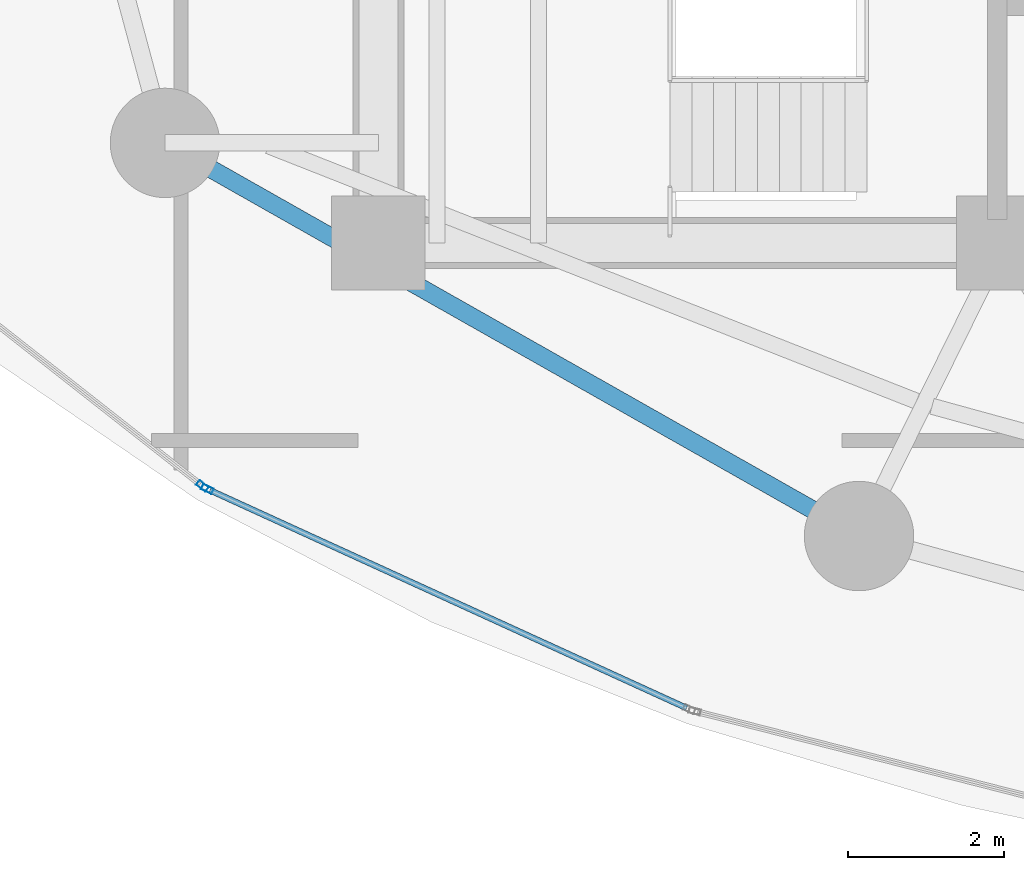
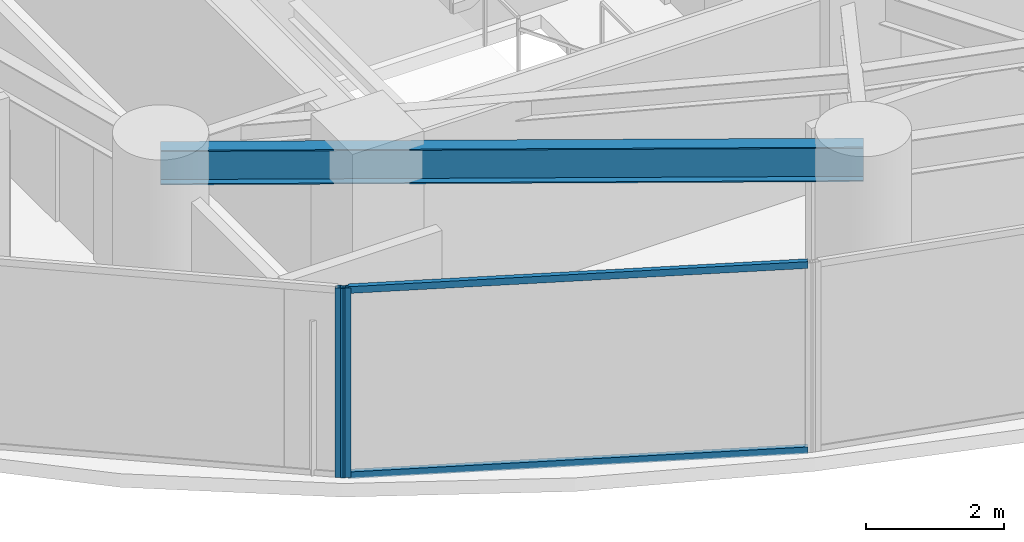
# One storey, part 2 of 31: 4 members, 1 beam, 2 elements without a shape of their own.
"""IFC4 building model written with IfcOpenShell, lengths in metres."""

from ifc_helpers import new_model, si_unit, direction, frame, origin, origin_2d, place, context, subcontext, project, spatial, hollow_rectangle, i_section, extrude, material, layer, layer_set, material_profile, profile_set, type_object, element, aggregate, save


model = new_model("IFC4")

# Units and contexts
model_context = context("Model", 3, precision=1e-05, world=origin(), true_north=direction((0.0, 1.0)))
body_context = subcontext(model_context, "Body", "Model", "MODEL_VIEW")
ifc_project = project(units=[si_unit("LENGTHUNIT", "METRE"), si_unit("AREAUNIT", "SQUARE_METRE"), si_unit("VOLUMEUNIT", "CUBIC_METRE"), si_unit("PLANEANGLEUNIT", "RADIAN"), si_unit("MASSUNIT", "GRAM", prefix="KILO")], contexts=[model_context])

# Site, building, storey
site_placement = place(None, origin())
site = spatial("IfcSite", under=ifc_project, at=site_placement, CompositionType="ELEMENT")
building_placement = place(site_placement, origin())
building = spatial("IfcBuilding", under=site, at=building_placement, Name="Kazevale Care Tower and Concert Hall", CompositionType="ELEMENT")
storey_placement = place(building_placement, frame((0.0, 0.0, 63.60009765625)))
storey = spatial("IfcBuildingStorey", under=building, at=storey_placement, Name="L16", CompositionType="ELEMENT", Elevation=63.60009765625)

# Curtain wall, member
ifc_material_1 = material(Name="Aluminium 6063-T6 and Low-E Glass", Category="aluminium")
ifc_layer = layer(ifc_material_1, 0.179931640625)
ifc_layer_set = layer_set([ifc_layer], Name="Aluminium 6063-T6 and Low-E Glass")
curtain_wall_type = type_object("IfcCurtainWallType", Name="Sheltered Concave Balcony Curtain Wall CW-5", PredefinedType="NOTDEFINED", material=ifc_layer_set)
curtain_wall_1_placement = place(storey_placement, origin())
curtain_wall_1 = element("IfcCurtainWall", 1, at=curtain_wall_1_placement, inside=storey, type_object=curtain_wall_type, Name="cw:L16:f09", PredefinedType="NOTDEFINED")
ifc_material_2 = material(Name="Aluminium 6063-T6", Category="aluminium")
ifc_material_profile_1 = material_profile(ifc_material_2, hollow_rectangle(XDim=0.074951171875, YDim=0.14990234375, WallThickness=0.00390625, at=origin_2d()), Name="ALU75x150x4")
ifc_profile_set_1 = profile_set([ifc_material_profile_1], Name="Aluminium 6063-T6")
member_type_1 = type_object("IfcMemberType", Name="CW-5 Mullion ALU75x150x4", PredefinedType="MULLION", material=ifc_profile_set_1)
member_1_placement = place(storey_placement, frame((19.81201171875, 20.451416015625, 0.0), z_axis=(0.0, 0.0, 1.0), x_axis=(-0.415659767773, -0.909520179795, 0.0)))
member_1 = element("IfcMember", 2, at=member_1_placement, type_object=member_type_1, Name="CW-5 mullion 2", PredefinedType="MULLION", context=body_context, shape_type="SweptSolid", body=[
    extrude(hollow_rectangle(XDim=0.074951171875, YDim=0.14990234375, WallThickness=0.00390625, at=origin_2d()), origin(), (0.0, 0.0, 1.0), 3.35986328125),
])

curtain_wall_2_placement = place(storey_placement, origin())
curtain_wall_2 = element("IfcCurtainWall", 3, at=curtain_wall_2_placement, inside=storey, type_object=curtain_wall_type, Name="cw:L16:f10", PredefinedType="NOTDEFINED")
member_2_placement = place(storey_placement, frame((19.74853515625, 20.490234375, 0.0), z_axis=(0.0, 0.0, 1.0), x_axis=(-0.617807548814, -0.78632934107, 0.0)))
member_2 = element("IfcMember", 4, at=member_2_placement, type_object=member_type_1, Name="CW-5 mullion 1", PredefinedType="MULLION", context=body_context, shape_type="SweptSolid", body=[
    extrude(hollow_rectangle(XDim=0.074951171875, YDim=0.14990234375, WallThickness=0.00390625, at=origin_2d()), origin(), (0.0, 0.0, 1.0), 3.35986328125),
])
aggregate(curtain_wall_2, [member_2])

# Member
ifc_material_profile_2 = material_profile(ifc_material_2, hollow_rectangle(XDim=0.074951171875, YDim=0.1201171875, WallThickness=0.00390625, at=origin_2d()), Name="ALU75x120x4")
ifc_profile_set_2 = profile_set([ifc_material_profile_2], Name="Aluminium 6063-T6")
member_type_2 = type_object("IfcMemberType", Name="CW-5 Transom ALU75x120x4", PredefinedType="USERDEFINED", material=ifc_profile_set_2)
member_3_placement = place(storey_placement, frame((25.94384765625, 17.649169921875, 0.037353515625), z_axis=(-0.909524040017, 0.415651320978, 0.0), x_axis=(-0.415651320978, -0.909524040017, 0.0)))
member_3 = element("IfcMember", 5, at=member_3_placement, type_object=member_type_2, Name="CW-5 transom 1.1", ObjectType="TRANSOM", PredefinedType="USERDEFINED", context=body_context, shape_type="SweptSolid", body=[
    extrude(hollow_rectangle(XDim=0.074951171875, YDim=0.1201171875, WallThickness=0.00390625, at=origin_2d()), origin(), (0.0, 0.0, 1.0), 6.704345703125),
])

member_4_placement = place(storey_placement, frame((25.94384765625, 17.649169921875, 3.322509765625), z_axis=(-0.909524040017, 0.415651320978, 0.0), x_axis=(-0.415651320978, -0.909524040017, 0.0)))
member_4 = element("IfcMember", 6, at=member_4_placement, type_object=member_type_2, Name="CW-5 transom 1.2", ObjectType="TRANSOM", PredefinedType="USERDEFINED", context=body_context, shape_type="SweptSolid", body=[
    extrude(hollow_rectangle(XDim=0.074951171875, YDim=0.1201171875, WallThickness=0.00390625, at=origin_2d()), origin(), (0.0, 0.0, 1.0), 6.704345703125),
])

aggregate(curtain_wall_1, [member_1, member_3, member_4])

# Beam
ifc_material_3 = material(Name="Steel ASTM A572 Gr 50", Category="steel")
ifc_material_profile_3 = material_profile(ifc_material_3, i_section(OverallWidth=0.22900390625, OverallDepth=0.612060546875, WebThickness=0.011962890625, FlangeThickness=0.01953125, at=origin_2d()), Name="W610x125")
ifc_profile_set_3 = profile_set([ifc_material_profile_3], Name="Steel ASTM A572 Gr 50")
beam_type = type_object("IfcBeamType", Name="Ring Spandrel Beam W610x125", PredefinedType="SPANDREL", material=ifc_profile_set_3)
beam_placement = place(storey_placement, frame((19.27001953125, 24.8798828125, 3.053955078125), z_axis=(0.870112469479, -0.492853213906, 0.0), x_axis=(0.492853213906, 0.870112469479, 0.0)))
element("IfcBeam", 7, at=beam_placement, inside=storey, type_object=beam_type, Name="beam:L16:ring:10", PredefinedType="SPANDREL", context=body_context, shape_type="SweptSolid", body=[
    extrude(i_section(OverallWidth=0.22900390625, OverallDepth=0.612060546875, WebThickness=0.011962890625, FlangeThickness=0.01953125, at=origin_2d()), origin(), (0.0, 0.0, 1.0), 10.205322265625),
])

save(model, "model.ifc")
